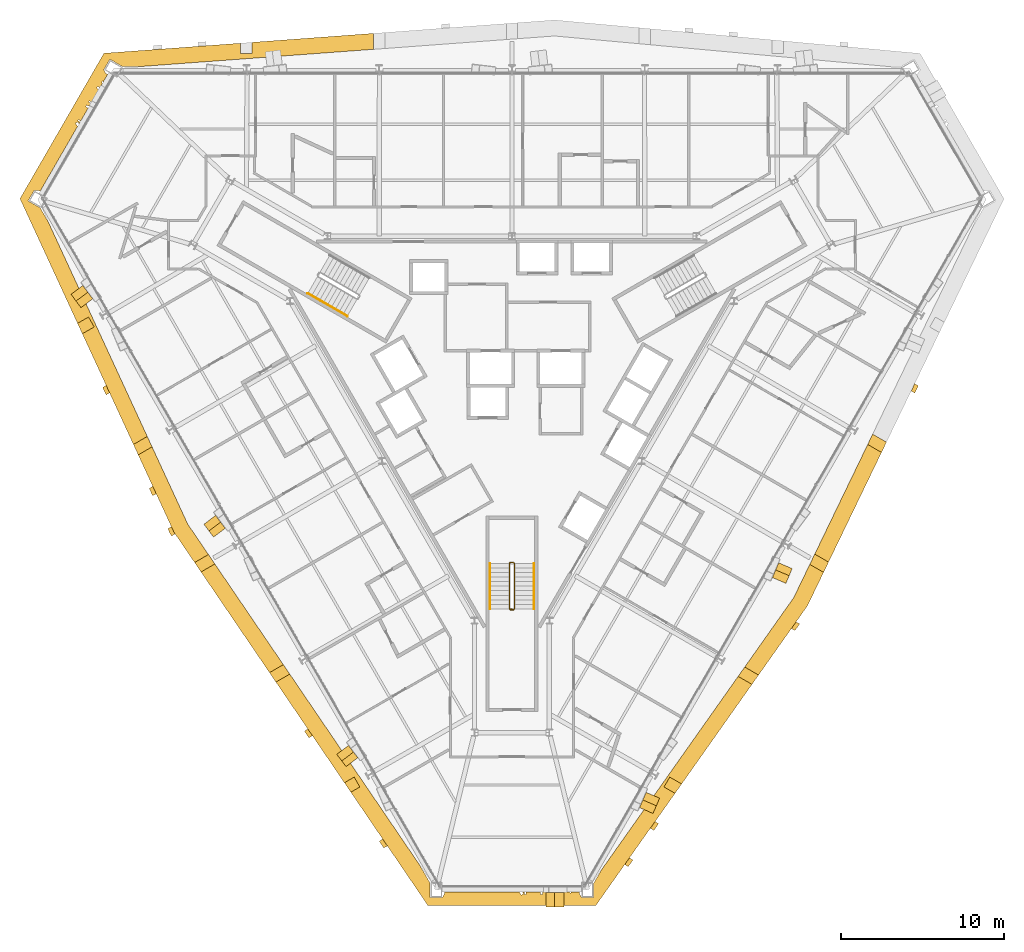
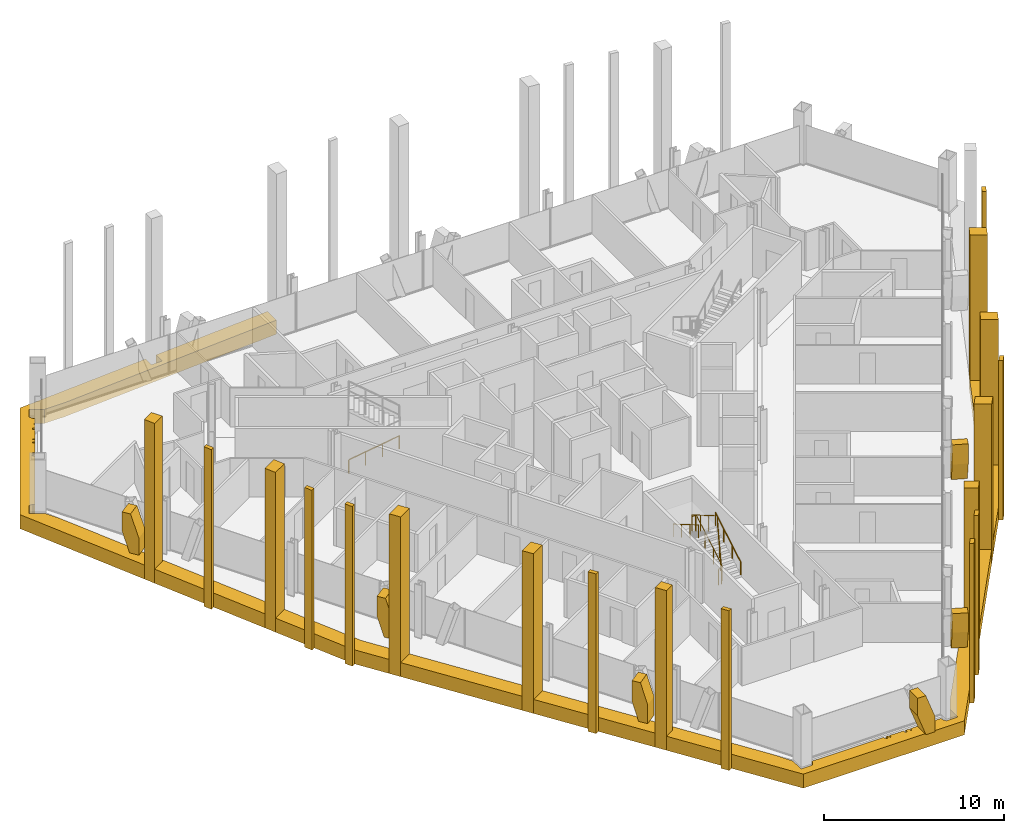
# One storey, part 18 of 19: 30 coverings, 4 railings.
"""IFC4 building model written with IfcOpenShell, lengths in metres."""

from ifc_helpers import new_model, si_unit, direction, frame, origin, origin_2d, place, context, subcontext, project, spatial, polyline, circle, outline, extrude, material, layer, layer_set, type_object, element, save


model = new_model("IFC4")

# Units and contexts
model_context = context("Model", 3, precision=1e-05, world=origin(), true_north=direction((0.0, 1.0)))
body_context = subcontext(model_context, "Body", "Model", "MODEL_VIEW")
ifc_project = project(units=[si_unit("LENGTHUNIT", "METRE"), si_unit("AREAUNIT", "SQUARE_METRE"), si_unit("VOLUMEUNIT", "CUBIC_METRE"), si_unit("PLANEANGLEUNIT", "RADIAN"), si_unit("MASSUNIT", "GRAM", prefix="KILO")], contexts=[model_context])

# Site, building, storey
site_placement = place(None, origin())
site = spatial("IfcSite", under=ifc_project, at=site_placement, CompositionType="ELEMENT")
building_placement = place(site_placement, origin())
building = spatial("IfcBuilding", under=site, at=building_placement, Name="Verrane Prism Tower", CompositionType="ELEMENT")
storey_placement = place(building_placement, frame((0.0, 0.0, 121.60009765625)))
storey = spatial("IfcBuildingStorey", under=building, at=storey_placement, Name="L29", CompositionType="ELEMENT", Elevation=121.60009765625)

# Railings
ifc_material_1 = material(Name="Steel A36 rail and posts, no infill", Category="steel")
railing_type_1 = type_object("IfcRailingType", Name="Stair guard 1100 steel rail and posts", PredefinedType="GUARDRAIL", material=ifc_material_1)
railing_1_placement = place(storey_placement, frame((0.14990234375, -13.699951171875, 0.16357421875)))
element("IfcRailing", 1, at=railing_1_placement, inside=storey, type_object=railing_type_1, Name="Stair 3 guard", PredefinedType="GUARDRAIL", context=body_context, shape_type="SweptSolid", body=[
    extrude(circle(Radius=0.02392578125, at=origin_2d()), frame((0.0, 0.0, 1.076171875), z_axis=(0.0, 0.863393664356, 0.504530851732), x_axis=(-1.0, 0.0, 0.0)), (0.0, 0.0, 1.0), 3.2431640625),
    extrude(circle(Radius=0.02392578125, at=origin_2d()), frame((0.0, 2.800048828125, 2.71240234375), z_axis=(-0.707106781187, 0.707106781187, 0.0), x_axis=(-0.707106781187, -0.707106781187, 0.0)), (0.0, 0.0, 1.0), 0.0703125),
    extrude(circle(Radius=0.02392578125, at=origin_2d()), frame((-0.0498046875, 2.849853515625, 2.71240234375), z_axis=(-1.0, 0.0, 0.0), x_axis=(0.0, -1.0, 0.0)), (0.0, 0.0, 1.0), 0.2001953125),
    extrude(circle(Radius=0.02392578125, at=origin_2d()), frame((-0.25, 2.849853515625, 2.71240234375), z_axis=(-0.279301935624, -0.279301935624, 0.918684307863), x_axis=(0.707106781187, -0.707106781187, 0.0)), (0.0, 0.0, 1.0), 0.17822265625),
    extrude(circle(Radius=0.02392578125, at=origin_2d()), frame((-0.2998046875, 2.800048828125, 2.8759765625), z_axis=(0.0, -0.863393664356, 0.504530851732), x_axis=(1.0, 0.0, 0.0)), (0.0, 0.0, 1.0), 3.2431640625),
    extrude(circle(Radius=0.02392578125, at=origin_2d()), frame((-0.2998046875, 0.0, 4.51220703125), z_axis=(0.069273741535, -0.013868278335, -0.997501288014), x_axis=(0.196300278283, 0.98054382908, 0.0)), (0.0, 0.0, 1.0), 3.60888671875),
    extrude(circle(Radius=0.02392578125, at=origin_2d()), frame((-0.0498046875, -0.050048828125, 0.91259765625), z_axis=(-1.0, 0.0, 0.0), x_axis=(0.0, -1.0, 0.0)), (0.0, 0.0, 1.0), 0.2001953125),
    extrude(circle(Radius=0.02099609375, at=origin_2d()), origin(), (0.0, 0.0, 1.0), 1.052001953125),
    extrude(circle(Radius=0.02099609375, at=origin_2d()), frame((0.0, 0.933349609375, 0.54541015625)), (0.0, 0.0, 1.0), 1.052001953125),
    extrude(circle(Radius=0.02099609375, at=origin_2d()), frame((0.0, 1.86669921875, 1.0908203125)), (0.0, 0.0, 1.0), 1.052001953125),
    extrude(circle(Radius=0.02099609375, at=origin_2d()), frame((0.0, 2.800048828125, 1.63623046875)), (0.0, 0.0, 1.0), 1.052001953125),
    extrude(circle(Radius=0.02099609375, at=origin_2d()), frame((-0.0498046875, 2.849853515625, 1.63623046875)), (0.0, 0.0, 1.0), 1.052001953125),
    extrude(circle(Radius=0.02099609375, at=origin_2d()), frame((-0.25, 2.849853515625, 1.63623046875)), (0.0, 0.0, 1.0), 1.052001953125),
    extrude(circle(Radius=0.02099609375, at=origin_2d()), frame((-0.2998046875, 2.800048828125, 1.800048828125)), (0.0, 0.0, 1.0), 1.052001953125),
    extrude(circle(Radius=0.02099609375, at=origin_2d()), frame((-0.2998046875, 1.86669921875, 2.345458984375)), (0.0, 0.0, 1.0), 1.052001953125),
    extrude(circle(Radius=0.02099609375, at=origin_2d()), frame((-0.2998046875, 0.933349609375, 2.890869140625)), (0.0, 0.0, 1.0), 1.052001953125),
    extrude(circle(Radius=0.02099609375, at=origin_2d()), frame((-0.2998046875, 0.0, 3.436279296875)), (0.0, 0.0, 1.0), 1.052001953125),
    extrude(circle(Radius=0.02099609375, at=origin_2d()), frame((-0.2373046875, -0.012451171875, 2.536376953125)), (0.0, 0.0, 1.0), 1.052001953125),
    extrude(circle(Radius=0.02099609375, at=origin_2d()), frame((-0.1748046875, -0.02490234375, 1.63623046875)), (0.0, 0.0, 1.0), 1.052001953125),
    extrude(circle(Radius=0.02099609375, at=origin_2d()), frame((-0.1123046875, -0.03759765625, 0.736328125)), (0.0, 0.0, 1.0), 1.052001953125),
    extrude(circle(Radius=0.02099609375, at=origin_2d()), frame((-0.0498046875, -0.050048828125, -0.16357421875)), (0.0, 0.0, 1.0), 1.052001953125),
    extrude(circle(Radius=0.02099609375, at=origin_2d()), frame((-0.25, -0.050048828125, -0.16357421875)), (0.0, 0.0, 1.0), 1.052001953125),
])
ifc_material_2 = material(Name="Steel A36 tube", Category="steel")
railing_type_2 = type_object("IfcRailingType", Name="Stair handrail 900 steel tube", PredefinedType="HANDRAIL", material=ifc_material_2)
railing_2_placement = place(storey_placement, frame((-12.53955078125, 5.680908203125, 0.16357421875)))
element("IfcRailing", 2, at=railing_2_placement, inside=storey, type_object=railing_type_2, Name="Stair 2 handrail", PredefinedType="HANDRAIL", context=body_context, shape_type="SweptSolid", body=[
    extrude(circle(Radius=0.02392578125, at=origin_2d()), frame((0.0, 0.0, 0.8759765625), z_axis=(0.747693913401, -0.431738279637, 0.504535300807), x_axis=(0.500049511043, 0.865996816683, 0.0)), (0.0, 0.0, 1.0), 3.2431640625),
    extrude(circle(Radius=0.02099609375, at=origin_2d()), origin(), (0.0, 0.0, 1.0), 0.851806640625),
    extrude(circle(Radius=0.02099609375, at=origin_2d()), frame((0.808349609375, -0.466796875, 0.54541015625)), (0.0, 0.0, 1.0), 0.851806640625),
    extrude(circle(Radius=0.02099609375, at=origin_2d()), frame((1.616455078125, -0.933349609375, 1.0908203125)), (0.0, 0.0, 1.0), 0.851806640625),
    extrude(circle(Radius=0.02099609375, at=origin_2d()), frame((2.4248046875, -1.400146484375, 1.63623046875)), (0.0, 0.0, 1.0), 0.851806640625),
])
railing_3_placement = place(storey_placement, frame((1.35009765625, -13.699951171875, 0.16357421875)))
element("IfcRailing", 3, at=railing_3_placement, inside=storey, type_object=railing_type_2, Name="Stair 3 handrail", PredefinedType="HANDRAIL", context=body_context, shape_type="SweptSolid", body=[
    extrude(circle(Radius=0.02392578125, at=origin_2d()), frame((0.0, 0.0, 0.8759765625), z_axis=(0.0, 0.863393664356, 0.504530851732), x_axis=(-1.0, 0.0, 0.0)), (0.0, 0.0, 1.0), 3.2431640625),
    extrude(circle(Radius=0.02099609375, at=origin_2d()), origin(), (0.0, 0.0, 1.0), 0.851806640625),
    extrude(circle(Radius=0.02099609375, at=origin_2d()), frame((0.0, 0.933349609375, 0.54541015625)), (0.0, 0.0, 1.0), 0.851806640625),
    extrude(circle(Radius=0.02099609375, at=origin_2d()), frame((0.0, 1.86669921875, 1.0908203125)), (0.0, 0.0, 1.0), 0.851806640625),
    extrude(circle(Radius=0.02099609375, at=origin_2d()), frame((0.0, 2.800048828125, 1.63623046875)), (0.0, 0.0, 1.0), 0.851806640625),
])
railing_4_placement = place(storey_placement, frame((-1.35009765625, -10.89990234375, 1.963623046875)))
element("IfcRailing", 4, at=railing_4_placement, inside=storey, type_object=railing_type_2, Name="Stair 3 handrail", PredefinedType="HANDRAIL", context=body_context, shape_type="SweptSolid", body=[
    extrude(circle(Radius=0.02392578125, at=origin_2d()), frame((0.0, 0.0, 0.8759765625), z_axis=(0.0, -0.863393664356, 0.504530851732), x_axis=(1.0, 0.0, 0.0)), (0.0, 0.0, 1.0), 3.2431640625),
    extrude(circle(Radius=0.02099609375, at=origin_2d()), origin(), (0.0, 0.0, 1.0), 0.851806640625),
    extrude(circle(Radius=0.02099609375, at=origin_2d()), frame((0.0, -0.933349609375, 0.54541015625)), (0.0, 0.0, 1.0), 0.851806640625),
    extrude(circle(Radius=0.02099609375, at=origin_2d()), frame((0.0, -1.86669921875, 1.0908203125)), (0.0, 0.0, 1.0), 0.851806640625),
    extrude(circle(Radius=0.02099609375, at=origin_2d()), frame((0.0, -2.800048828125, 1.63623046875)), (0.0, 0.0, 1.0), 0.851806640625),
])

# Coverings
ifc_material_3 = material(Name="Warm limestone cladding", Category="masonry")
ifc_layer_1 = layer(ifc_material_3, 0.89990234375)
ifc_layer_set_1 = layer_set([ifc_layer_1], Name="Stone brace fin 900")
covering_type_1 = type_object("IfcCoveringType", Name="Stone brace fin 900", PredefinedType="CLADDING", material=ifc_layer_set_1)
covering_1_placement = place(storey_placement, frame((-26.109619140625, 5.07421875, 0.0), z_axis=(0.0, 0.0, 1.0), x_axis=(-0.596205110881, 0.802832152919, 0.0)))
element("IfcCovering", 5, at=covering_1_placement, inside=storey, type_object=covering_type_1, Name="Stone brace fin SW1 L29", PredefinedType="CLADDING", context=body_context, shape_type="SweptSolid", body=[
    extrude(outline(polyline([(1.02099609375, 2.64990234375), (0.506591796875, 2.64990234375), (0.0, 1.157470703125), (0.0, 0.0), (0.5576171875, 0.0), (1.02099609375, 1.365478515625), (1.02099609375, 2.64990234375)])), frame((0.0, 0.449951171875, 0.0), z_axis=(0.0, -1.0, 0.0), x_axis=(1.0, 0.0, 0.0)), (0.0, 0.0, 1.0), 0.89990234375),
])
covering_2_placement = place(storey_placement, frame((-17.96826171875, -9.015380859375, 0.0), z_axis=(0.0, 0.0, 1.0), x_axis=(-0.601547413848, 0.798837097845, 0.0)))
element("IfcCovering", 6, at=covering_2_placement, inside=storey, type_object=covering_type_1, Name="Stone brace fin SW3 L29", PredefinedType="CLADDING", context=body_context, shape_type="SweptSolid", body=[
    extrude(outline(polyline([(0.98388671875, 2.64990234375), (0.472412109375, 2.64990234375), (0.0, 1.205078125), (0.0, 0.0), (0.552734375, 0.0), (0.98388671875, 1.31787109375), (0.98388671875, 2.64990234375)])), frame((0.0, 0.449951171875, 0.0), z_axis=(0.0, -1.0, 0.0), x_axis=(1.0, 0.0, 0.0)), (0.0, 0.0, 1.0), 0.89990234375),
])
covering_3_placement = place(storey_placement, frame((-9.828369140625, -23.111572265625, 0.0), z_axis=(0.0, 0.0, 1.0), x_axis=(-0.604657681542, 0.796485460101, 0.0)))
element("IfcCovering", 7, at=covering_3_placement, inside=storey, type_object=covering_type_1, Name="Stone brace fin SW5 L29", PredefinedType="CLADDING", context=body_context, shape_type="SweptSolid", body=[
    extrude(outline(polyline([(0.945556640625, 2.64990234375), (0.437744140625, 2.64990234375), (0.0, 1.25732421875), (0.0, 0.0), (0.5478515625, 0.0), (0.945556640625, 1.265380859375), (0.945556640625, 2.64990234375)])), frame((0.0, 0.449951171875, 0.0), z_axis=(0.0, -1.0, 0.0), x_axis=(1.0, 0.0, 0.0)), (0.0, 0.0, 1.0), 0.89990234375),
])
covering_4_placement = place(storey_placement, frame((8.655517578125, -25.144287109375, 0.0), z_axis=(0.0, 0.0, 1.0), x_axis=(-0.396339912134, -0.918103847095, 0.0)))
element("IfcCovering", 8, at=covering_4_placement, inside=storey, type_object=covering_type_1, Name="Stone brace fin SE1 L29", PredefinedType="CLADDING", context=body_context, shape_type="SweptSolid", body=[
    extrude(outline(polyline([(1.02197265625, 2.64990234375), (0.50732421875, 2.64990234375), (0.0, 1.15625), (0.0, 0.0), (0.5576171875, 0.0), (1.02197265625, 1.366455078125), (1.02197265625, 2.64990234375)])), frame((0.0, 0.449951171875, 0.0), z_axis=(0.0, -1.0, 0.0), x_axis=(1.0, 0.0, 0.0)), (0.0, 0.0, 1.0), 0.89990234375),
])
covering_5_placement = place(storey_placement, frame((16.79541015625, -11.04638671875, 0.0), z_axis=(0.0, 0.0, 1.0), x_axis=(-0.391313918132, -0.920257256139, 0.0)))
element("IfcCovering", 9, at=covering_5_placement, inside=storey, type_object=covering_type_1, Name="Stone brace fin SE3 L29", PredefinedType="CLADDING", context=body_context, shape_type="SweptSolid", body=[
    extrude(outline(polyline([(0.984375, 2.64990234375), (0.472900390625, 2.64990234375), (0.0, 1.204345703125), (0.0, 0.0), (0.552978515625, 0.0), (0.984375, 1.318603515625), (0.984375, 2.64990234375)])), frame((0.0, 0.449951171875, 0.0), z_axis=(0.0, -1.0, 0.0), x_axis=(1.0, 0.0, 0.0)), (0.0, 0.0, 1.0), 0.89990234375),
])
covering_6_placement = place(storey_placement, frame((3.204345703125, -31.56787109375, 0.0), z_axis=(0.0, 0.0, 1.0), x_axis=(-1.0, 0.0, 0.0)))
element("IfcCovering", 10, at=covering_6_placement, inside=storey, type_object=covering_type_1, Name="Stone brace fin S1 L29", PredefinedType="CLADDING", context=body_context, shape_type="SweptSolid", body=[
    extrude(outline(polyline([(1.10595703125, 2.64990234375), (0.586669921875, 2.64990234375), (0.0, 1.056884765625), (0.0, 0.0), (0.56982421875, 0.0), (1.10595703125, 1.455810546875), (1.10595703125, 2.64990234375)])), frame((0.0, 0.449951171875, 0.0), z_axis=(0.0, -1.0, 0.0), x_axis=(1.0, 0.0, 0.0)), (0.0, 0.0, 1.0), 0.89990234375),
])
ifc_material_4 = material(Name="Warm limestone cladding", Category="masonry")
covering_type_2 = type_object("IfcCoveringType", Name="Stone mullion pier 500", PredefinedType="CLADDING", material=ifc_material_4)
covering_7_placement = place(storey_placement, frame((0.0, 0.0, -0.9501953125)))
element("IfcCovering", 11, at=covering_7_placement, inside=storey, type_object=covering_type_2, Name="Stone pier SM-SW1.1 L29-L31", PredefinedType="CLADDING", context=body_context, shape_type="SweptSolid", body=[
    extrude(outline(polyline([(-24.711669921875, -0.42724609375), (-24.922119140625, 0.02880859375), (-25.139404296875, -0.0966796875), (-24.928955078125, -0.552734375), (-24.711669921875, -0.42724609375)])), origin(), (0.0, 0.0, 1.0), 10.800048828125),
])
covering_8_placement = place(storey_placement, frame((0.0, 0.0, -0.9501953125)))
element("IfcCovering", 12, at=covering_8_placement, inside=storey, type_object=covering_type_2, Name="Stone pier SM-SW2.1 L29-L31", PredefinedType="CLADDING", context=body_context, shape_type="SweptSolid", body=[
    extrude(outline(polyline([(-21.851318359375, -6.625), (-22.061767578125, -6.169189453125), (-22.279052734375, -6.294677734375), (-22.068603515625, -6.75048828125), (-21.851318359375, -6.625)])), origin(), (0.0, 0.0, 1.0), 10.800048828125),
])
covering_9_placement = place(storey_placement, frame((0.0, 0.0, -0.9501953125)))
element("IfcCovering", 13, at=covering_9_placement, inside=storey, type_object=covering_type_2, Name="Stone pier SM-SW2.2 L29-L31", PredefinedType="CLADDING", context=body_context, shape_type="SweptSolid", body=[
    extrude(outline(polyline([(-20.685791015625, -9.091796875), (-20.770263671875, -8.9677734375), (-20.91748046875, -8.648193359375), (-21.135009765625, -8.77392578125), (-20.988525390625, -9.09130859375), (-20.90283203125, -9.21728515625), (-20.685791015625, -9.091796875)])), origin(), (0.0, 0.0, 1.0), 10.800048828125),
])
covering_10_placement = place(storey_placement, frame((0.0, 0.0, -0.9501953125)))
element("IfcCovering", 14, at=covering_10_placement, inside=storey, type_object=covering_type_2, Name="Stone pier SM-SW4.1 L29-L31", PredefinedType="CLADDING", context=body_context, shape_type="SweptSolid", body=[
    extrude(outline(polyline([(-12.251708984375, -21.490966796875), (-12.53369140625, -21.076416015625), (-12.7509765625, -21.201904296875), (-12.468994140625, -21.616455078125), (-12.251708984375, -21.490966796875)])), origin(), (0.0, 0.0, 1.0), 10.800048828125),
])
covering_11_placement = place(storey_placement, frame((0.0, 0.0, -0.9501953125)))
element("IfcCovering", 15, at=covering_11_placement, inside=storey, type_object=covering_type_2, Name="Stone pier SM-SW5.1 L29-L31", PredefinedType="CLADDING", context=body_context, shape_type="SweptSolid", body=[
    extrude(outline(polyline([(-7.651611328125, -28.254150390625), (-7.93359375, -27.839599609375), (-8.150634765625, -27.965087890625), (-7.86865234375, -28.37939453125), (-7.651611328125, -28.254150390625)])), origin(), (0.0, 0.0, 1.0), 10.800048828125),
])
covering_12_placement = place(storey_placement, frame((0.0, 0.0, -0.9501953125)))
element("IfcCovering", 16, at=covering_12_placement, inside=storey, type_object=covering_type_2, Name="Stone pier SM-SE0.1 L29-L31", PredefinedType="CLADDING", context=body_context, shape_type="SweptSolid", body=[
    extrude(outline(polyline([(7.21337890625, -28.99365234375), (6.923583984375, -29.40380859375), (7.14111328125, -29.529296875), (7.430908203125, -29.119140625), (7.21337890625, -28.99365234375)])), origin(), (0.0, 0.0, 1.0), 10.800048828125),
])
covering_13_placement = place(storey_placement, frame((0.0, 0.0, -0.9501953125)))
element("IfcCovering", 17, at=covering_13_placement, inside=storey, type_object=covering_type_2, Name="Stone pier SM-SE0.2 L29-L31", PredefinedType="CLADDING", context=body_context, shape_type="SweptSolid", body=[
    extrude(outline(polyline([(8.788330078125, -26.76318359375), (8.498779296875, -27.17333984375), (8.716064453125, -27.298828125), (9.005859375, -26.888916015625), (8.788330078125, -26.76318359375)])), origin(), (0.0, 0.0, 1.0), 10.800048828125),
])
covering_14_placement = place(storey_placement, frame((0.0, 0.0, -0.9501953125)))
element("IfcCovering", 18, at=covering_14_placement, inside=storey, type_object=covering_type_2, Name="Stone pier SM-SE2.1 L29-L31", PredefinedType="CLADDING", context=body_context, shape_type="SweptSolid", body=[
    extrude(outline(polyline([(17.45068359375, -14.49609375), (17.160888671875, -14.90625), (17.37841796875, -15.03173828125), (17.66796875, -14.62158203125), (17.45068359375, -14.49609375)])), origin(), (0.0, 0.0, 1.0), 10.800048828125),
])
covering_15_placement = place(storey_placement, frame((0.0, 0.0, -0.9501953125)))
element("IfcCovering", 19, at=covering_15_placement, inside=storey, type_object=covering_type_2, Name="Stone pier SM-SE4.1 L29-L31", PredefinedType="CLADDING", context=body_context, shape_type="SweptSolid", body=[
    extrude(outline(polyline([(24.73779296875, 0.13525390625), (24.519775390625, -0.31640625), (24.73681640625, -0.441650390625), (24.954833984375, 0.009765625), (24.73779296875, 0.13525390625)])), origin(), (0.0, 0.0, 1.0), 10.800048828125),
])
ifc_material_5 = material(Name="Warm limestone cladding", Category="masonry")
covering_type_3 = type_object("IfcCoveringType", Name="Stone pier 700", PredefinedType="CLADDING", material=ifc_material_5)
covering_16_placement = place(storey_placement, frame((0.0, 0.0, -0.9501953125)))
element("IfcCovering", 20, at=covering_16_placement, inside=storey, type_object=covering_type_3, Name="Stone pier PC-SW1 L29-L31", PredefinedType="CLADDING", context=body_context, shape_type="SweptSolid", body=[
    extrude(outline(polyline([(-25.65869140625, 3.6201171875), (-25.790771484375, 3.84912109375), (-26.008544921875, 4.226318359375), (-26.68017578125, 3.838623046875), (-26.3857421875, 3.200439453125), (-25.65869140625, 3.6201171875)])), origin(), (0.0, 0.0, 1.0), 10.800048828125),
])
covering_17_placement = place(storey_placement, frame((0.0, 0.0, -0.9501953125)))
element("IfcCovering", 21, at=covering_17_placement, inside=storey, type_object=covering_type_3, Name="Stone pier PC-SW2 L29-L31", PredefinedType="CLADDING", context=body_context, shape_type="SweptSolid", body=[
    extrude(outline(polyline([(-22.953369140625, -4.237060546875), (-22.102783203125, -3.74609375), (-22.397216796875, -3.107666015625), (-23.247802734375, -3.598876953125), (-22.953369140625, -4.237060546875)])), origin(), (0.0, 0.0, 1.0), 10.800048828125),
])
covering_18_placement = place(storey_placement, frame((0.0, 0.0, -0.9501953125)))
element("IfcCovering", 22, at=covering_18_placement, inside=storey, type_object=covering_type_3, Name="Stone pier PC-SW3 L29-L31", PredefinedType="CLADDING", context=body_context, shape_type="SweptSolid", body=[
    extrude(outline(polyline([(-19.095947265625, -11.42919921875), (-18.24658203125, -10.938720703125), (-18.641357421875, -10.3583984375), (-19.49072265625, -10.848876953125), (-19.095947265625, -11.42919921875)])), origin(), (0.0, 0.0, 1.0), 10.800048828125),
])
covering_19_placement = place(storey_placement, frame((0.0, 0.0, -0.9501953125)))
element("IfcCovering", 23, at=covering_19_placement, inside=storey, type_object=covering_type_3, Name="Stone pier PC-SW4 L29-L31", PredefinedType="CLADDING", context=body_context, shape_type="SweptSolid", body=[
    extrude(outline(polyline([(-14.49560546875, -18.1923828125), (-13.646240234375, -17.701904296875), (-14.041015625, -17.12158203125), (-14.890380859375, -17.612060546875), (-14.49560546875, -18.1923828125)])), origin(), (0.0, 0.0, 1.0), 10.800048828125),
])
covering_20_placement = place(storey_placement, frame((0.0, 0.0, -0.9501953125)))
element("IfcCovering", 24, at=covering_20_placement, inside=storey, type_object=covering_type_3, Name="Stone pier PC-SW5 L29-L31", PredefinedType="CLADDING", context=body_context, shape_type="SweptSolid", body=[
    extrude(outline(polyline([(-9.3408203125, -24.63525390625), (-9.515869140625, -24.332275390625), (-9.69091796875, -24.029052734375), (-10.2900390625, -24.375), (-9.895263671875, -24.95556640625), (-9.3408203125, -24.63525390625)])), origin(), (0.0, 0.0, 1.0), 10.800048828125),
])
covering_21_placement = place(storey_placement, frame((0.0, 0.0, -0.9501953125)))
element("IfcCovering", 25, at=covering_21_placement, inside=storey, type_object=covering_type_3, Name="Stone pier PC-SE1 L29-L31", PredefinedType="CLADDING", context=body_context, shape_type="SweptSolid", body=[
    extrude(outline(polyline([(9.69091796875, -24.029052734375), (9.61767578125, -24.156005859375), (9.3408203125, -24.63525390625), (10.015869140625, -25.02490234375), (10.421142578125, -24.45068359375), (9.69091796875, -24.029052734375)])), origin(), (0.0, 0.0, 1.0), 10.800048828125),
])
covering_22_placement = place(storey_placement, frame((0.0, 0.0, -0.9501953125)))
element("IfcCovering", 26, at=covering_22_placement, inside=storey, type_object=covering_type_3, Name="Stone pier PC-SE2 L29-L31", PredefinedType="CLADDING", context=body_context, shape_type="SweptSolid", body=[
    extrude(outline(polyline([(15.14599609375, -17.759765625), (14.29541015625, -17.2685546875), (13.889892578125, -17.8427734375), (14.740478515625, -18.333984375), (15.14599609375, -17.759765625)])), origin(), (0.0, 0.0, 1.0), 10.800048828125),
])
covering_23_placement = place(storey_placement, frame((0.0, 0.0, -0.9501953125)))
element("IfcCovering", 27, at=covering_23_placement, inside=storey, type_object=covering_type_3, Name="Stone pier PC-SE3 L29-L31", PredefinedType="CLADDING", context=body_context, shape_type="SweptSolid", body=[
    extrude(outline(polyline([(19.44580078125, -10.822998046875), (18.596435546875, -10.33251953125), (18.291259765625, -10.964599609375), (19.140625, -11.455078125), (19.44580078125, -10.822998046875)])), origin(), (0.0, 0.0, 1.0), 10.800048828125),
])
covering_24_placement = place(storey_placement, frame((0.0, 0.0, -0.9501953125)))
element("IfcCovering", 28, at=covering_24_placement, inside=storey, type_object=covering_type_3, Name="Stone pier PC-SE4 L29-L31", PredefinedType="CLADDING", context=body_context, shape_type="SweptSolid", body=[
    extrude(outline(polyline([(23.0029296875, -3.457275390625), (22.153564453125, -2.967041015625), (21.848388671875, -3.59912109375), (22.697509765625, -4.08935546875), (23.0029296875, -3.457275390625)])), origin(), (0.0, 0.0, 1.0), 10.800048828125),
])
ifc_material_6 = material(Name="Warm limestone cladding", Category="masonry")
ifc_layer_2 = layer(ifc_material_6, 0.449951171875)
ifc_layer_set_2 = layer_set([ifc_layer_2], Name="Stone spandrel band 450")
covering_type_4 = type_object("IfcCoveringType", Name="Stone spandrel band 450", PredefinedType="CLADDING", material=ifc_layer_set_2)
covering_25_placement = place(storey_placement, frame((0.0, 0.0, -0.9501953125)))
element("IfcCovering", 29, at=covering_25_placement, inside=storey, type_object=covering_type_4, Name="Stone spandrel band L29 part 2", PredefinedType="CLADDING", context=body_context, shape_type="SweptSolid", body=[
    extrude(outline(polyline([(-22.397216796875, -3.107666015625), (-28.50146484375, 10.119140625), (-28.9697265625, 10.93017578125), (-29.7158203125, 11.36083984375), (-29.335693359375, 12.01904296875), (-29.316650390625, 12.008056640625), (-29.094482421875, 12.008056640625), (-28.982666015625, 11.943603515625), (-26.68310546875, 15.926513671875), (-26.79638671875, 16.13330078125), (-26.66015625, 16.2080078125), (-26.59228515625, 16.083984375), (-26.52099609375, 16.207275390625), (-26.663330078125, 16.289306640625), (-26.625, 16.355712890625), (-26.482666015625, 16.273681640625), (-26.031494140625, 17.05517578125), (-26.174072265625, 17.137451171875), (-26.110595703125, 17.24755859375), (-25.968017578125, 17.165283203125), (-25.85791015625, 17.355712890625), (-26.00048828125, 17.43798828125), (-25.96240234375, 17.50439453125), (-25.819580078125, 17.422119140625), (-25.368408203125, 18.20361328125), (-25.51123046875, 18.2861328125), (-25.447509765625, 18.396240234375), (-25.3046875, 18.313720703125), (-25.153076171875, 18.57666015625), (-25.1923828125, 18.691162109375), (-25.1259765625, 18.714111328125), (-25.1064453125, 18.6572265625), (-24.833251953125, 19.130615234375), (-24.945556640625, 19.195556640625), (-25.056884765625, 19.389892578125), (-25.07568359375, 19.40087890625), (-24.69580078125, 20.05908203125), (-23.94091796875, 19.623291015625), (-22.666015625, 19.623291015625), (-19.937255859375, 19.824951171875), (-19.936279296875, 19.826904296875), (-19.9326171875, 19.8251953125), (-8.507080078125, 20.6689453125), (-8.507080078125, 21.649658203125), (-15.964599609375, 21.09912109375), (-15.964599609375, 20.409912109375), (-16.66455078125, 20.409912109375), (-16.66455078125, 21.04736328125), (-25.059814453125, 20.42724609375), (-30.215087890625, 11.498291015625), (-26.68017578125, 3.838623046875), (-26.008544921875, 4.226318359375), (-25.65869140625, 3.6201171875), (-26.3857421875, 3.200439453125), (-23.247802734375, -3.598876953125), (-22.397216796875, -3.107666015625)])), origin(), (0.0, 0.0, 1.0), 0.9501953125),
])
covering_26_placement = place(storey_placement, frame((0.0, 0.0, -0.9501953125)))
element("IfcCovering", 30, at=covering_26_placement, inside=storey, type_object=covering_type_4, Name="Stone spandrel band L29 part 3", PredefinedType="CLADDING", context=body_context, shape_type="SweptSolid", body=[
    extrude(outline(polyline([(5.149658203125, -31.916259765625), (10.015869140625, -25.02490234375), (9.3408203125, -24.63525390625), (9.69091796875, -24.029052734375), (10.421142578125, -24.45068359375), (14.740478515625, -18.333984375), (13.889892578125, -17.8427734375), (5.4873046875, -29.742431640625), (5.02001953125, -30.5517578125), (5.02001953125, -31.419921875), (4.260009765625, -31.419921875), (4.260009765625, -31.39794921875), (4.14892578125, -31.20361328125), (4.14892578125, -31.0712890625), (3.5986328125, -31.0712890625), (3.64111328125, -31.120361328125), (3.58740234375, -31.166748046875), (3.5048828125, -31.0712890625), (3.204345703125, -31.0712890625), (3.204345703125, -31.239990234375), (3.077392578125, -31.239990234375), (3.077392578125, -31.0712890625), (2.175048828125, -31.0712890625), (2.175048828125, -31.239990234375), (2.098388671875, -31.239990234375), (2.098388671875, -31.0712890625), (1.878662109375, -31.0712890625), (1.878662109375, -31.239990234375), (1.751708984375, -31.239990234375), (1.751708984375, -31.0712890625), (0.849365234375, -31.0712890625), (0.849365234375, -31.239990234375), (0.772705078125, -31.239990234375), (0.772705078125, -31.0712890625), (0.627685546875, -31.0712890625), (0.70361328125, -31.196533203125), (0.57080078125, -31.277099609375), (0.4462890625, -31.0712890625), (-4.14892578125, -31.0712890625), (-4.14892578125, -31.20361328125), (-4.260009765625, -31.39794921875), (-4.260009765625, -31.419921875), (-5.02001953125, -31.419921875), (-5.02001953125, -30.5517578125), (-5.661376953125, -29.44091796875), (-13.646240234375, -17.701904296875), (-14.49560546875, -18.1923828125), (-10.2900390625, -24.375), (-9.69091796875, -24.029052734375), (-9.3408203125, -24.63525390625), (-9.895263671875, -24.95556640625), (-5.16064453125, -31.916259765625), (5.149658203125, -31.916259765625)])), origin(), (0.0, 0.0, 1.0), 0.9501953125),
])
covering_27_placement = place(storey_placement, frame((0.0, 0.0, -0.9501953125)))
element("IfcCovering", 31, at=covering_27_placement, inside=storey, type_object=covering_type_4, Name="Stone spandrel band L29 part 4", PredefinedType="CLADDING", context=body_context, shape_type="SweptSolid", body=[
    extrude(outline(polyline([(-18.641357421875, -10.3583984375), (-19.916015625, -8.484375), (-22.102783203125, -3.74609375), (-22.953369140625, -4.237060546875), (-20.770263671875, -8.9677734375), (-19.49072265625, -10.848876953125), (-18.641357421875, -10.3583984375)])), origin(), (0.0, 0.0, 1.0), 0.9501953125),
])
covering_28_placement = place(storey_placement, frame((0.0, 0.0, -0.9501953125)))
element("IfcCovering", 32, at=covering_28_placement, inside=storey, type_object=covering_type_4, Name="Stone spandrel band L29 part 5", PredefinedType="CLADDING", context=body_context, shape_type="SweptSolid", body=[
    extrude(outline(polyline([(-14.890380859375, -17.612060546875), (-14.041015625, -17.12158203125), (-18.24658203125, -10.938720703125), (-19.095947265625, -11.42919921875), (-14.890380859375, -17.612060546875)])), origin(), (0.0, 0.0, 1.0), 0.9501953125),
])
covering_29_placement = place(storey_placement, frame((0.0, 0.0, -0.9501953125)))
element("IfcCovering", 33, at=covering_29_placement, inside=storey, type_object=covering_type_4, Name="Stone spandrel band L29 part 6", PredefinedType="CLADDING", context=body_context, shape_type="SweptSolid", body=[
    extrude(outline(polyline([(19.140625, -11.455078125), (18.291259765625, -10.964599609375), (17.3056640625, -13.005615234375), (14.29541015625, -17.2685546875), (15.14599609375, -17.759765625), (18.1513671875, -13.503662109375), (19.140625, -11.455078125)])), origin(), (0.0, 0.0, 1.0), 0.9501953125),
])
covering_30_placement = place(storey_placement, frame((0.0, 0.0, -0.9501953125)))
element("IfcCovering", 34, at=covering_30_placement, inside=storey, type_object=covering_type_4, Name="Stone spandrel band L29 part 7", PredefinedType="CLADDING", context=body_context, shape_type="SweptSolid", body=[
    extrude(outline(polyline([(22.697509765625, -4.08935546875), (21.848388671875, -3.59912109375), (18.596435546875, -10.33251953125), (19.44580078125, -10.822998046875), (22.697509765625, -4.08935546875)])), origin(), (0.0, 0.0, 1.0), 0.9501953125),
])

save(model, "model.ifc")
